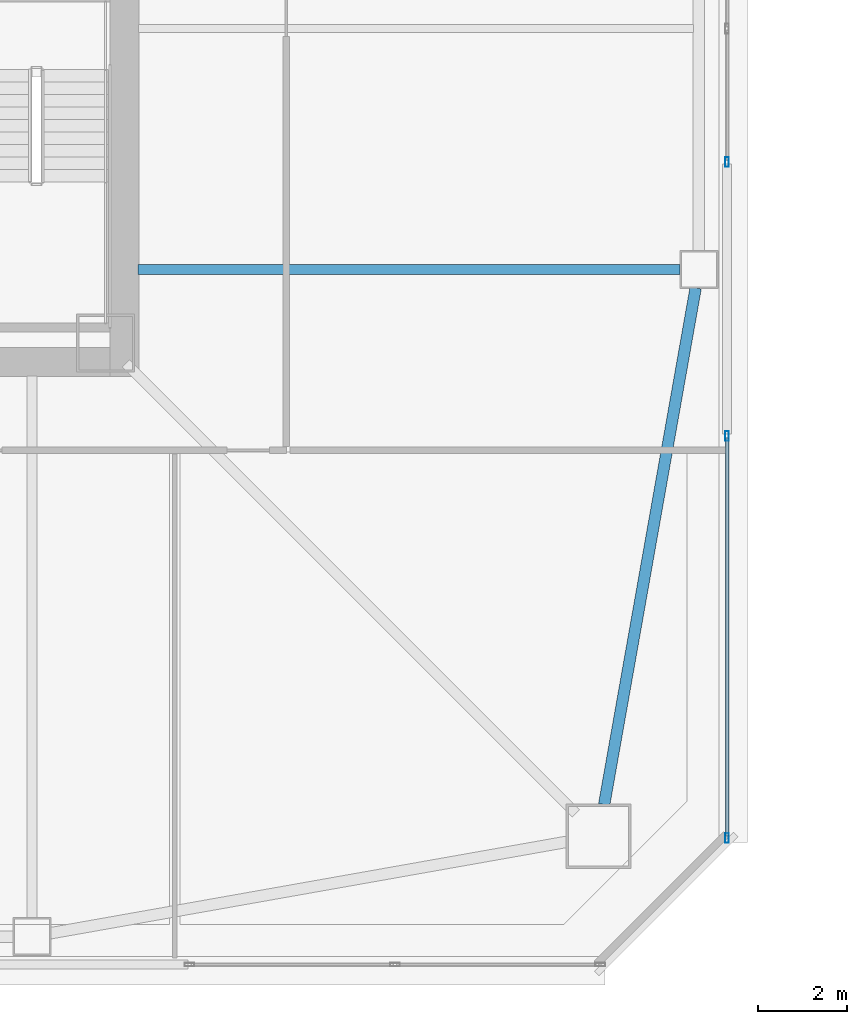
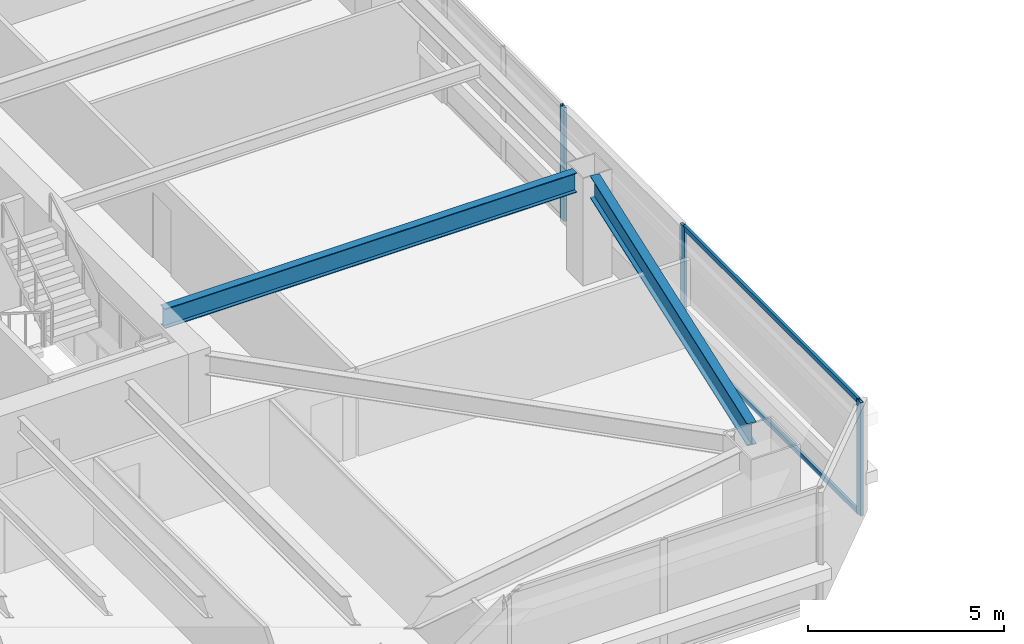
# One storey, part 9 of 44: 5 members, 2 beams, 2 elements without a shape of their own.
"""IFC4 building model written with IfcOpenShell, lengths in metres."""

import ifcopenshell
import ifcopenshell.guid

model = None  # the IFC model being written
_history = None  # IfcOwnerHistory: only IFC2X3 demands one
_inside = {}  # id of a spatial element -> (the spatial element, [elements in it])
_under = {}  # id of a project, library or spatial element -> (it, [spatial elements below it])
_declared = {}  # id of a project -> (the project, [libraries it declares])
_typed = {}  # id of a type object -> (the type object, [elements of that type])
_made_of = {}  # id of a material, layer set ... -> (it, [elements and type objects made of it])


def new_model(schema):
    """Start an empty IFC model of exactly this schema.

    Asked for "IFC4X3", IfcOpenShell would pick the latest addendum, in which some entities
    have other attributes; the version numbers below select the first issue.
    IFC2X3 requires an IfcOwnerHistory on every rooted entity: one is made here for all.
    """
    global model, _history
    if schema == "IFC4X3":
        model = ifcopenshell.file(schema_version=(4, 3, 0, 0))
    else:
        model = ifcopenshell.file(schema=schema)
    _inside.clear()
    _under.clear()
    _declared.clear()
    _typed.clear()
    _made_of.clear()
    _history = None
    if model.schema == "IFC2X3":
        org = make("IfcOrganization", Name="unknown")
        user = make(
            "IfcPersonAndOrganization",
            ThePerson=make("IfcPerson", FamilyName="unknown"),
            TheOrganization=org,
        )
        app = make(
            "IfcApplication",
            ApplicationDeveloper=org,
            Version="unknown",
            ApplicationFullName="unknown",
            ApplicationIdentifier="unknown",
        )
        _history = make(
            "IfcOwnerHistory",
            OwningUser=user,
            OwningApplication=app,
            ChangeAction="ADDED",
            CreationDate=0,
        )
    return model


def make(cls, **values):
    """One entity of the class cls with the attributes given. An attribute that is None is left unset."""
    return model.create_entity(
        cls, **{name: value for name, value in values.items() if value is not None}
    )


def rooted(cls, **values):
    """An entity with a GlobalId (a new one), such as an element, a storey or a relation."""
    return make(cls, GlobalId=ifcopenshell.guid.new(), OwnerHistory=_history, **values)


def si_unit(unit_type, name, prefix=None):
    """IfcSIUnit, for example si_unit("LENGTHUNIT", "METRE", prefix="MILLI")."""
    return make("IfcSIUnit", UnitType=unit_type, Prefix=prefix, Name=name)


def assignment(units):
    """IfcUnitAssignment: the units of a project."""
    return None if units is None else make("IfcUnitAssignment", Units=units)


def point(xyz):
    """IfcCartesianPoint."""
    return None if xyz is None else make("IfcCartesianPoint", Coordinates=xyz)


def direction(xyz):
    """IfcDirection."""
    return None if xyz is None else make("IfcDirection", DirectionRatios=xyz)


def frame(location, z_axis=None, x_axis=None):
    """IfcAxis2Placement3D, a coordinate frame: its origin and axes. An axis left out is left unset."""
    return make(
        "IfcAxis2Placement3D",
        Location=point(location),
        Axis=direction(z_axis),
        RefDirection=direction(x_axis),
    )


def frame_2d(location, x_axis=None):
    """IfcAxis2Placement2D, a coordinate frame in the plane: its origin and x axis."""
    return make(
        "IfcAxis2Placement2D", Location=point(location), RefDirection=direction(x_axis)
    )


def origin():
    """The frame at (0, 0, 0) with its axes left unset."""
    return frame((0.0, 0.0, 0.0))


def origin_2d():
    """The frame at (0, 0) in the plane with its x axis left unset."""
    return frame_2d((0.0, 0.0))


def place(relative_to, where):
    """IfcLocalPlacement: puts the frame where relative to a parent placement (None: the world)."""
    return make(
        "IfcLocalPlacement", PlacementRelTo=relative_to, RelativePlacement=where
    )


def context(
    kind, dimensions, precision=None, world=None, true_north=None, identifier=None
):
    """IfcGeometricRepresentationContext, for example the 3D "Model" context."""
    return make(
        "IfcGeometricRepresentationContext",
        ContextIdentifier=identifier,
        ContextType=kind,
        CoordinateSpaceDimension=dimensions,
        Precision=precision,
        WorldCoordinateSystem=world,
        TrueNorth=true_north,
    )


def subcontext(parent, identifier, kind, view, scale=None):
    """IfcGeometricRepresentationSubContext, for example "Body" below "Model"."""
    return make(
        "IfcGeometricRepresentationSubContext",
        ContextIdentifier=identifier,
        ContextType=kind,
        ParentContext=parent,
        TargetScale=scale,
        TargetView=view,
    )


def project(units=None, contexts=None):
    """IfcProject with its units and contexts."""
    return rooted(
        "IfcProject",
        Name="project",
        RepresentationContexts=contexts,
        UnitsInContext=assignment(units),
    )


def spatial(cls, under=None, at=None, **own):
    """A site, building, storey or space (cls), placed at a placement, below another one or the project."""
    s = rooted(cls, ObjectPlacement=at, **own)
    if under is not None:
        _under.setdefault(under.id(), (under, []))[1].append(s)
    return s


def profile(cls, at=None, kind="AREA", **sizes):
    """A parametric profile (cls). Its sizes go by their IFC names, for example OverallWidth=200.0."""
    return make(cls, ProfileType=kind, Position=at, **sizes)


def hollow_rectangle(**sizes):
    """IfcRectangleHollowProfileDef."""
    return profile("IfcRectangleHollowProfileDef", **sizes)


def i_section(**sizes):
    """IfcIShapeProfileDef."""
    return profile("IfcIShapeProfileDef", **sizes)


def extrude(swept, where, along, depth):
    """IfcExtrudedAreaSolid: the profile swept, set in the frame where, extruded along a direction by depth."""
    return make(
        "IfcExtrudedAreaSolid",
        SweptArea=swept,
        Position=where,
        ExtrudedDirection=direction(along),
        Depth=depth,
    )


def shape(context_of_items, identifier, shape_type, items):
    """IfcShapeRepresentation: the items that make up one representation, for example the "Body"."""
    return make(
        "IfcShapeRepresentation",
        ContextOfItems=context_of_items,
        RepresentationIdentifier=identifier,
        RepresentationType=shape_type,
        Items=items,
    )


def material(Name=None, Category=None):
    """IfcMaterial."""
    return make("IfcMaterial", Name=Name, Category=Category)


def material_profile(
    of_material, cross_section, Name=None, Category=None, Priority=None
):
    """IfcMaterialProfile: a cross section and its material."""
    return make(
        "IfcMaterialProfile",
        Name=Name,
        Material=of_material,
        Profile=cross_section,
        Priority=Priority,
        Category=Category,
    )


def profile_set(profiles, Name=None, composite=None):
    """IfcMaterialProfileSet."""
    return make(
        "IfcMaterialProfileSet",
        Name=Name,
        MaterialProfiles=profiles,
        CompositeProfile=composite,
    )


def made_of(thing, what):
    """Note that an element or type object is made of a material, layer set ...; save() writes the relation."""
    if what is not None:
        _made_of.setdefault(what.id(), (what, []))[1].append(thing)
    return thing


def type_object(cls, material=None, **own):
    """A type object (cls), such as IfcWallType, which elements share."""
    return made_of(rooted(cls, **own), material)


def element(
    cls,
    number,
    at=None,
    inside=None,
    cuts=None,
    type_object=None,
    material=None,
    context=None,
    identifier="Body",
    shape_type=None,
    held_by="IfcProductDefinitionShape",
    body=None,
    shapes=None,
    **own,
):
    """One element of the class cls, such as IfcWall. Its Tag is "e" and its number.

    at: its placement. inside: the storey or other place that contains it. cuts: it is an
    opening in that element (IfcRelVoidsElement). A single representation is given by context,
    identifier, shape_type and body (its items); several are given by shapes. held_by: the class
    of the entity that holds the representations. save() writes the other relations.
    """
    e = rooted(cls, Tag="e%d" % number, ObjectPlacement=at, **own)
    if body is not None:
        shapes = [shape(context, identifier, shape_type, body)]
    if shapes is not None:
        e.Representation = make(held_by, Representations=shapes)
    if inside is not None:
        _inside.setdefault(inside.id(), (inside, []))[1].append(e)
    if cuts is not None:
        rooted(
            "IfcRelVoidsElement", RelatingBuildingElement=cuts, RelatedOpeningElement=e
        )
    if type_object is not None:
        _typed.setdefault(type_object.id(), (type_object, []))[1].append(e)
    return made_of(e, material)


def aggregate(whole, parts):
    """IfcRelAggregates: a whole, such as a stair, and the parts it consists of."""
    return rooted("IfcRelAggregates", RelatingObject=whole, RelatedObjects=parts)


def save(model, path):
    """Write the relations noted so far, then the file.

    IfcRelAggregates (storeys below a building ...), IfcRelContainedInSpatialStructure (elements
    in a storey), IfcRelDefinesByType, IfcRelAssociatesMaterial and IfcRelDeclares: one each for
    every whole, place, type object, material and project.
    """
    for whole, parts in _under.values():
        aggregate(whole, parts)
    for where, things in _inside.values():
        rooted(
            "IfcRelContainedInSpatialStructure",
            RelatedElements=things,
            RelatingStructure=where,
        )
    for kind, things in _typed.values():
        rooted("IfcRelDefinesByType", RelatedObjects=things, RelatingType=kind)
    for what, things in _made_of.values():
        rooted("IfcRelAssociatesMaterial", RelatedObjects=things, RelatingMaterial=what)
    for by, libraries in _declared.values():
        rooted("IfcRelDeclares", RelatingContext=by, RelatedDefinitions=libraries)
    model.write(path)


model = new_model("IFC4")

# Units and contexts
model_context = context("Model", 3, precision=1e-05, world=origin(), true_north=direction((0.0, 1.0)))
body_context = subcontext(model_context, "Body", "Model", "MODEL_VIEW")
ifc_project = project(units=[si_unit("LENGTHUNIT", "METRE"), si_unit("AREAUNIT", "SQUARE_METRE"), si_unit("VOLUMEUNIT", "CUBIC_METRE"), si_unit("PLANEANGLEUNIT", "RADIAN"), si_unit("MASSUNIT", "GRAM", prefix="KILO")], contexts=[model_context])

# Site, building, storey
site_placement = place(None, origin())
site = spatial("IfcSite", under=ifc_project, at=site_placement, CompositionType="ELEMENT")
building_placement = place(site_placement, origin())
building = spatial("IfcBuilding", under=site, at=building_placement, Name="Tashvorn Skyway Center", CompositionType="ELEMENT")
storey_placement = place(building_placement, frame((0.0, 0.0, 92.050048828125)))
storey = spatial("IfcBuildingStorey", under=building, at=storey_placement, Name="L24", CompositionType="ELEMENT", Elevation=92.050048828125)

# Beams
ifc_material_1 = material(Name="Steel ASTM A992 Grade 50", Category="steel")
ifc_material_profile_1 = material_profile(ifc_material_1, i_section(OverallWidth=0.22998046875, OverallDepth=0.616943359375, WebThickness=0.01318359375, FlangeThickness=0.022216796875, at=origin_2d()), Name="W24X94")
ifc_profile_set_1 = profile_set([ifc_material_profile_1], Name="Steel ASTM A992 Grade 50")
beam_type_1 = type_object("IfcBeamType", Name="BM-BEAM-W24X94", PredefinedType="BEAM", material=ifc_profile_set_1)
beam_1_placement = place(storey_placement, frame((61.929931640625, 26.60009765625, 3.04150390625), z_axis=(-1.0, 0.0, 0.0), x_axis=(0.0, -1.0, 0.0)))
element("IfcBeam", 1, at=beam_1_placement, inside=storey, type_object=beam_type_1, Name="Tower 1 L24 Primary Floor Girder FC-E1", PredefinedType="BEAM", context=body_context, shape_type="SweptSolid", body=[
    extrude(i_section(OverallWidth=0.22998046875, OverallDepth=0.616943359375, WebThickness=0.01318359375, FlangeThickness=0.022216796875, at=origin_2d()), origin(), (0.0, 0.0, 1.0), 12.14990234375),
])
ifc_material_profile_2 = material_profile(ifc_material_1, i_section(OverallWidth=0.256103515625, OverallDepth=0.693115234375, WebThickness=0.014404296875, FlangeThickness=0.023681640625, at=origin_2d()), Name="W27X114")
ifc_profile_set_2 = profile_set([ifc_material_profile_2], Name="Steel ASTM A992 Grade 50")
beam_type_2 = type_object("IfcBeamType", Name="BM-SPANDREL-W27X114", PredefinedType="SPANDREL", material=ifc_profile_set_2)
beam_2_placement = place(storey_placement, frame((60.2255859375, 14.60888671875, 3.00341796875), z_axis=(0.174437966698, 0.98466816531, 0.0), x_axis=(-0.98466816531, 0.174437966698, 0.0)))
element("IfcBeam", 2, at=beam_2_placement, inside=storey, type_object=beam_type_2, Name="Tower 1 L24 Spandrel Beam 04", PredefinedType="SPANDREL", context=body_context, shape_type="SweptSolid", body=[
    extrude(i_section(OverallWidth=0.256103515625, OverallDepth=0.693115234375, WebThickness=0.014404296875, FlangeThickness=0.023681640625, at=origin_2d()), origin(), (0.0, 0.0, 1.0), 11.7578125),
])

# Curtain wall, member
ifc_material_2 = material(Name="Thermally broken bronze-anodized aluminium 6063-T6", Category="aluminium")
curtain_wall_type = type_object("IfcCurtainWallType", Name="CW-CW-Z2", PredefinedType="NOTDEFINED", material=ifc_material_2)
curtain_wall_1_placement = place(storey_placement, origin())
curtain_wall_1 = element("IfcCurtainWall", 3, at=curtain_wall_1_placement, inside=storey, type_object=curtain_wall_type, Name="Tower 1 L24 East Unitised Curtain Wall Glazing Group 2", PredefinedType="NOTDEFINED")
ifc_material_profile_3 = material_profile(ifc_material_2, hollow_rectangle(XDim=0.080078125, YDim=0.219970703125, WallThickness=0.0048828125, at=origin_2d()), Name="ALU-MULL-80x220")
ifc_profile_set_3 = profile_set([ifc_material_profile_3], Name="Thermally broken bronze-anodized aluminium 6063-T6")
member_type_1 = type_object("IfcMemberType", Name="CWM-CW-Z2", PredefinedType="MULLION", material=ifc_profile_set_3)
member_1_placement = place(storey_placement, frame((62.97998046875, 29.010009765625, 0.0), z_axis=(0.0, 0.0, 1.0), x_axis=(1.0, 0.0, 0.0)))
member_1 = element("IfcMember", 4, at=member_1_placement, type_object=member_type_1, Name="CW-Z2 mullion 3", PredefinedType="MULLION", context=body_context, shape_type="SweptSolid", body=[
    extrude(hollow_rectangle(XDim=0.080078125, YDim=0.219970703125, WallThickness=0.0048828125, at=origin_2d()), origin(), (0.0, 0.0, 1.0), 3.550048828125),
])
aggregate(curtain_wall_1, [member_1])

# Curtain wall, members
curtain_wall_2_placement = place(storey_placement, origin())
curtain_wall_2 = element("IfcCurtainWall", 5, at=curtain_wall_2_placement, inside=storey, type_object=curtain_wall_type, Name="Tower 1 L24 East Unitised Curtain Wall Glazing Group 3", PredefinedType="NOTDEFINED")
member_2_placement = place(storey_placement, frame((62.97998046875, 22.8701171875, 0.0), z_axis=(0.0, 0.0, 1.0), x_axis=(1.0, 0.0, 0.0)))
member_2 = element("IfcMember", 6, at=member_2_placement, type_object=member_type_1, Name="CW-Z2 mullion 1", PredefinedType="MULLION", context=body_context, shape_type="SweptSolid", body=[
    extrude(hollow_rectangle(XDim=0.080078125, YDim=0.219970703125, WallThickness=0.0048828125, at=origin_2d()), origin(), (0.0, 0.0, 1.0), 3.550048828125),
])
member_3_placement = place(storey_placement, frame((62.97998046875, 13.860107421875, 0.0), z_axis=(0.0, 0.0, 1.0), x_axis=(1.0, 0.0, 0.0)))
member_3 = element("IfcMember", 7, at=member_3_placement, type_object=member_type_1, Name="CW-Z2 mullion 2", PredefinedType="MULLION", context=body_context, shape_type="SweptSolid", body=[
    extrude(hollow_rectangle(XDim=0.080078125, YDim=0.219970703125, WallThickness=0.0048828125, at=origin_2d()), origin(), (0.0, 0.0, 1.0), 3.550048828125),
])
ifc_material_profile_4 = material_profile(ifc_material_2, hollow_rectangle(XDim=0.080078125, YDim=0.14990234375, WallThickness=0.00439453125, at=origin_2d()), Name="ALU-TRAN-80x150")
ifc_profile_set_4 = profile_set([ifc_material_profile_4], Name="Thermally broken bronze-anodized aluminium 6063-T6")
member_type_2 = type_object("IfcMemberType", Name="CWT-CW-Z2", PredefinedType="USERDEFINED", material=ifc_profile_set_4)
member_4_placement = place(storey_placement, frame((62.97998046875, 22.830078125, 0.0400390625), z_axis=(0.0, -1.0, 0.0), x_axis=(1.0, 0.0, 0.0)))
member_4 = element("IfcMember", 8, at=member_4_placement, type_object=member_type_2, Name="CW-Z2 transom 1.1", ObjectType="TRANSOM", PredefinedType="USERDEFINED", context=body_context, shape_type="SweptSolid", body=[
    extrude(hollow_rectangle(XDim=0.080078125, YDim=0.14990234375, WallThickness=0.00439453125, at=origin_2d()), origin(), (0.0, 0.0, 1.0), 8.93017578125),
])
member_5_placement = place(storey_placement, frame((62.97998046875, 22.830078125, 3.510009765625), z_axis=(0.0, -1.0, 0.0), x_axis=(1.0, 0.0, 0.0)))
member_5 = element("IfcMember", 9, at=member_5_placement, type_object=member_type_2, Name="CW-Z2 transom 1.2", ObjectType="TRANSOM", PredefinedType="USERDEFINED", context=body_context, shape_type="SweptSolid", body=[
    extrude(hollow_rectangle(XDim=0.080078125, YDim=0.14990234375, WallThickness=0.00439453125, at=origin_2d()), origin(), (0.0, 0.0, 1.0), 8.93017578125),
])
aggregate(curtain_wall_2, [member_2, member_3, member_4, member_5])

save(model, "model.ifc")
